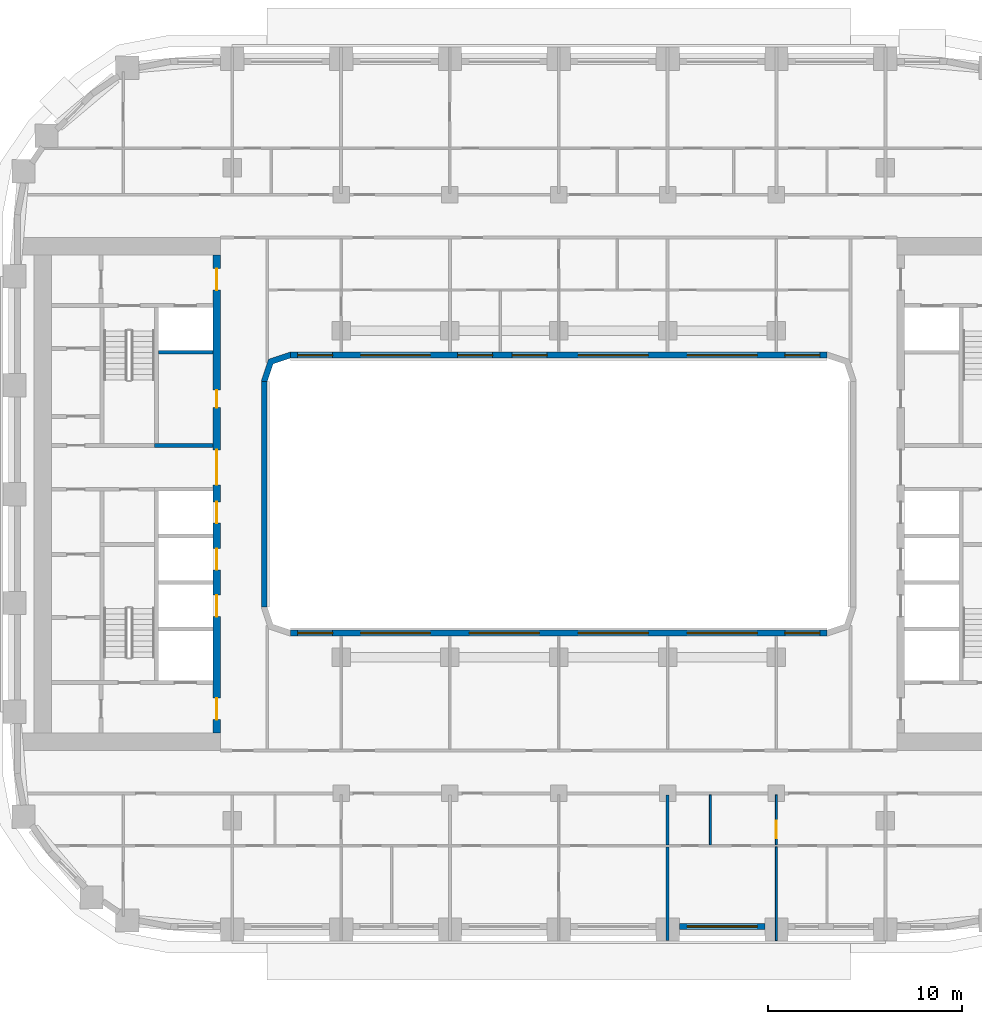
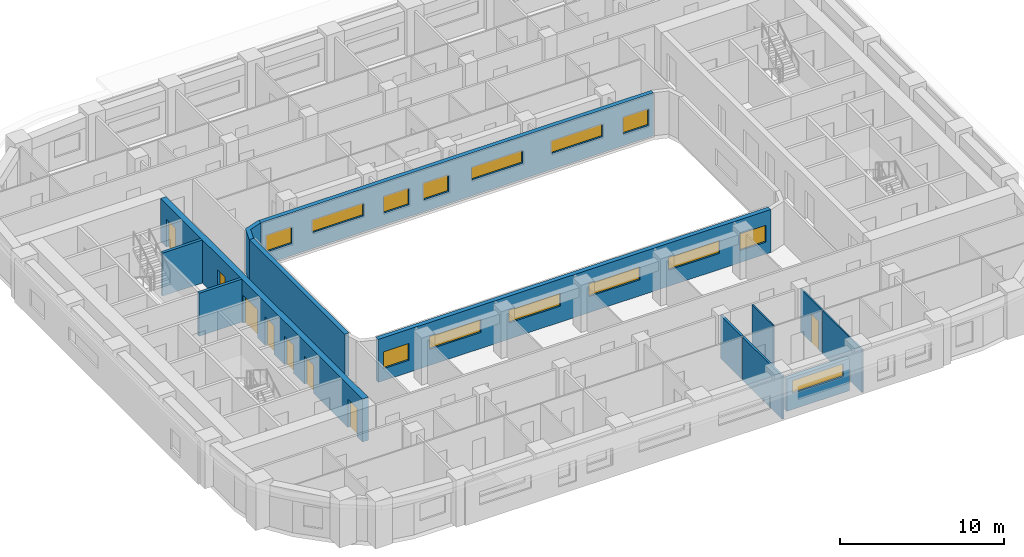
# One storey, part 5 of 21: 14 windows, 13 walls, 8 doors, 22 openings.
"""IFC4 building model written with IfcOpenShell, lengths in metres."""

from ifc_helpers import new_model, si_unit, direction, frame, frame_2d, origin, place, context, subcontext, project, spatial, polyline, rectangle, outline, extrude, material, layer, layer_set, type_object, element, fill, save


model = new_model("IFC4")

# Units and contexts
model_context = context("Model", 3, precision=1e-05, world=origin(), true_north=direction((0.0, 1.0)))
body_context = subcontext(model_context, "Body", "Model", "MODEL_VIEW")
ifc_project = project(units=[si_unit("LENGTHUNIT", "METRE"), si_unit("AREAUNIT", "SQUARE_METRE"), si_unit("VOLUMEUNIT", "CUBIC_METRE"), si_unit("PLANEANGLEUNIT", "RADIAN"), si_unit("MASSUNIT", "GRAM", prefix="KILO")], contexts=[model_context])

# Site, building, storey
site_placement = place(None, origin())
site = spatial("IfcSite", under=ifc_project, at=site_placement, CompositionType="ELEMENT")
building_placement = place(site_placement, origin())
building = spatial("IfcBuilding", under=site, at=building_placement, Name="Kiln Ring Residences", CompositionType="ELEMENT")
storey_placement = place(building_placement, frame((0.0, 0.0, 114.800048828125)))
storey = spatial("IfcBuildingStorey", under=building, at=storey_placement, Name="L29", CompositionType="ELEMENT", Elevation=114.800048828125)

# Walls
ifc_material_1 = material(Name="Gypsum shaft wall system")
ifc_layer_1 = layer(ifc_material_1, 0.199951171875)
ifc_layer_set_1 = layer_set([ifc_layer_1], Name="CORE-SHAFT-WALL-200")
wall_type_1 = type_object("IfcWallType", Name="CORE-SHAFT-WALL-200", PredefinedType="PARTITIONING", material=ifc_layer_set_1)
wall_1_placement = place(storey_placement, frame((-17.800048828125, 2.5, 0.0), z_axis=(0.0, 0.0, 1.0), x_axis=(-1.0, 0.0, 0.0)))
element("IfcWall", 1, at=wall_1_placement, inside=storey, type_object=wall_type_1, Name="Core partition west L29 13", PredefinedType="PARTITIONING", context=body_context, shape_type="SweptSolid", body=[
    extrude(rectangle(XDim=3.0, YDim=0.199951171875, at=frame_2d((1.5, 0.0))), origin(), (0.0, 0.0, 1.0), 3.199951171875),
])
wall_2_placement = place(storey_placement, frame((-17.800048828125, 7.300048828125, 0.0), z_axis=(0.0, 0.0, 1.0), x_axis=(-1.0, 0.0, 0.0)))
element("IfcWall", 2, at=wall_2_placement, inside=storey, type_object=wall_type_1, Name="Core partition west L29 14", PredefinedType="PARTITIONING", context=body_context, shape_type="SweptSolid", body=[
    extrude(rectangle(XDim=2.800048828125, YDim=0.199951171875, at=frame_2d((1.39990234375, 0.0))), origin(), (0.0, 0.0, 1.0), 3.199951171875),
])

# Wall, openings, doors
ifc_material_2 = material(Name="Concrete C60/75", Category="concrete")
ifc_layer_2 = layer(ifc_material_2, 0.39990234375)
ifc_layer_set_2 = layer_set([ifc_layer_2], Name="CORE-WALL-RC400")
wall_type_2 = type_object("IfcWallType", Name="CORE-WALL-RC400", PredefinedType="SHEAR", material=ifc_layer_set_2)
wall_3_placement = place(storey_placement, frame((-17.60009765625, -12.300048828125, 0.0), z_axis=(0.0, 0.0, 1.0), x_axis=(0.0, 1.0, 0.0)))
wall_3 = element("IfcWall", 3, at=wall_3_placement, inside=storey, type_object=wall_type_2, Name="Core wall west L29 6", PredefinedType="SHEAR", context=body_context, shape_type="SweptSolid", body=[
    extrude(rectangle(XDim=24.60009765625, YDim=0.39990234375, at=frame_2d((12.300048828125, 0.0))), origin(), (0.0, 0.0, 1.0), 3.199951171875),
])
opening_1_placement = place(wall_3_placement, frame((6.0, 0.0, 0.0)))
opening_1 = element("IfcOpeningElement", 4, at=opening_1_placement, cuts=wall_3, Name="Opening L29-CW02", PredefinedType="OPENING", context=body_context, shape_type="SweptSolid", body=[
    extrude(rectangle(XDim=1.10009765625, YDim=2.10009765625, at=frame_2d((0.550048828125, 1.050048828125))), frame((0.0, 0.2099609375, 0.0), z_axis=(0.0, -1.0, 0.0), x_axis=(1.0, 0.0, 0.0)), (0.0, 0.0, 1.0), 0.419921875),
])
opening_2_placement = place(wall_3_placement, frame((8.39990234375, 0.0, 0.0)))
opening_2 = element("IfcOpeningElement", 5, at=opening_2_placement, cuts=wall_3, Name="Opening L29-CW03", PredefinedType="OPENING", context=body_context, shape_type="SweptSolid", body=[
    extrude(rectangle(XDim=1.10009765625, YDim=2.10009765625, at=frame_2d((0.550048828125, 1.050048828125))), frame((0.0, 0.2099609375, 0.0), z_axis=(0.0, -1.0, 0.0), x_axis=(1.0, 0.0, 0.0)), (0.0, 0.0, 1.0), 0.419921875),
])
opening_3_placement = place(wall_3_placement, frame((10.800048828125, 0.0, 0.0)))
opening_3 = element("IfcOpeningElement", 6, at=opening_3_placement, cuts=wall_3, Name="Opening L29-CW04", PredefinedType="OPENING", context=body_context, shape_type="SweptSolid", body=[
    extrude(rectangle(XDim=1.10009765625, YDim=2.10009765625, at=frame_2d((0.550048828125, 1.050048828125))), frame((0.0, 0.2099609375, 0.0), z_axis=(0.0, -1.0, 0.0), x_axis=(1.0, 0.0, 0.0)), (0.0, 0.0, 1.0), 0.419921875),
])
opening_4_placement = place(wall_3_placement, frame((16.75, 0.0, 0.0)))
opening_4 = element("IfcOpeningElement", 7, at=opening_4_placement, cuts=wall_3, Name="Opening L29-CW05", PredefinedType="OPENING", context=body_context, shape_type="SweptSolid", body=[
    extrude(rectangle(XDim=0.89990234375, YDim=2.10009765625, at=frame_2d((0.449951171875, 1.050048828125))), frame((0.0, 0.2099609375, 0.0), z_axis=(0.0, -1.0, 0.0), x_axis=(1.0, 0.0, 0.0)), (0.0, 0.0, 1.0), 0.419921875),
])
opening_5_placement = place(wall_3_placement, frame((22.800048828125, 0.0, 0.0)))
opening_5 = element("IfcOpeningElement", 8, at=opening_5_placement, cuts=wall_3, Name="Opening L29-CW07", PredefinedType="OPENING", context=body_context, shape_type="SweptSolid", body=[
    extrude(rectangle(XDim=1.10009765625, YDim=2.10009765625, at=frame_2d((0.550048828125, 1.050048828125))), frame((0.0, 0.2099609375, 0.0), z_axis=(0.0, -1.0, 0.0), x_axis=(1.0, 0.0, 0.0)), (0.0, 0.0, 1.0), 0.419921875),
])
opening_6_placement = place(wall_3_placement, frame((0.699951171875, 0.0, 0.0)))
opening_6 = element("IfcOpeningElement", 9, at=opening_6_placement, cuts=wall_3, Name="Opening L29-CW08", PredefinedType="OPENING", context=body_context, shape_type="SweptSolid", body=[
    extrude(rectangle(XDim=1.10009765625, YDim=2.10009765625, at=frame_2d((0.550048828125, 1.050048828125))), frame((0.0, 0.2099609375, 0.0), z_axis=(0.0, -1.0, 0.0), x_axis=(1.0, 0.0, 0.0)), (0.0, 0.0, 1.0), 0.419921875),
])
opening_7_placement = place(wall_3_placement, frame((12.77490234375, 0.0, 0.0)))
opening_7 = element("IfcOpeningElement", 10, at=opening_7_placement, cuts=wall_3, Name="Opening L29-CW13", PredefinedType="OPENING", context=body_context, shape_type="SweptSolid", body=[
    extrude(rectangle(XDim=1.800048828125, YDim=2.10009765625, at=frame_2d((0.89990234375, 1.050048828125))), frame((0.0, 0.2099609375, 0.0), z_axis=(0.0, -1.0, 0.0), x_axis=(1.0, 0.0, 0.0)), (0.0, 0.0, 1.0), 0.419921875),
])
ifc_material_3 = material(Name="Steel door leaf", Category="steel")
door_type_1 = type_object("IfcDoorType", Name="CORE-DOOR-LD", OperationType="DOUBLE_DOOR_SLIDING", PredefinedType="DOOR", material=ifc_material_3)
door_1_placement = place(opening_1_placement, origin())
door_1 = element("IfcDoor", 11, at=door_1_placement, inside=storey, type_object=door_type_1, Name="LD W-L1 L29-CW02", OperationType="DOUBLE_DOOR_SLIDING", OverallHeight=2.10009765625, OverallWidth=1.10009765625, PredefinedType="DOOR", context=body_context, shape_type="SweptSolid", body=[
    extrude(rectangle(XDim=1.10009765625, YDim=2.10009765625, at=frame_2d((0.550048828125, 1.050048828125))), frame((0.0, 0.02490234375, 0.0), z_axis=(0.0, -1.0, 0.0), x_axis=(1.0, 0.0, 0.0)), (0.0, 0.0, 1.0), 0.050048828125),
])
fill(opening_1, door_1)
door_2_placement = place(opening_2_placement, origin())
door_2 = element("IfcDoor", 12, at=door_2_placement, inside=storey, type_object=door_type_1, Name="LD W-L2 L29-CW03", OperationType="DOUBLE_DOOR_SLIDING", OverallHeight=2.10009765625, OverallWidth=1.10009765625, PredefinedType="DOOR", context=body_context, shape_type="SweptSolid", body=[
    extrude(rectangle(XDim=1.10009765625, YDim=2.10009765625, at=frame_2d((0.550048828125, 1.050048828125))), frame((0.0, 0.02490234375, 0.0), z_axis=(0.0, -1.0, 0.0), x_axis=(1.0, 0.0, 0.0)), (0.0, 0.0, 1.0), 0.050048828125),
])
fill(opening_2, door_2)
door_3_placement = place(opening_3_placement, origin())
door_3 = element("IfcDoor", 13, at=door_3_placement, inside=storey, type_object=door_type_1, Name="LD W-L3 L29-CW04", OperationType="DOUBLE_DOOR_SLIDING", OverallHeight=2.10009765625, OverallWidth=1.10009765625, PredefinedType="DOOR", context=body_context, shape_type="SweptSolid", body=[
    extrude(rectangle(XDim=1.10009765625, YDim=2.10009765625, at=frame_2d((0.550048828125, 1.050048828125))), frame((0.0, 0.02490234375, 0.0), z_axis=(0.0, -1.0, 0.0), x_axis=(1.0, 0.0, 0.0)), (0.0, 0.0, 1.0), 0.050048828125),
])
fill(opening_3, door_3)
ifc_material_4 = material(Name="Steel door leaf", Category="steel")
door_type_2 = type_object("IfcDoorType", Name="CORE-DOOR-LOBBY", OperationType="SINGLE_SWING_LEFT", PredefinedType="DOOR", material=ifc_material_4)
door_4_placement = place(opening_5_placement, origin())
door_4 = element("IfcDoor", 14, at=door_4_placement, inside=storey, type_object=door_type_2, Name="FFL L29-CW07", OperationType="SINGLE_SWING_RIGHT", OverallHeight=2.10009765625, OverallWidth=1.10009765625, PredefinedType="DOOR", context=body_context, shape_type="SweptSolid", body=[
    extrude(rectangle(XDim=1.10009765625, YDim=2.10009765625, at=frame_2d((0.550048828125, 1.050048828125))), frame((0.0, 0.02490234375, 0.0), z_axis=(0.0, -1.0, 0.0), x_axis=(1.0, 0.0, 0.0)), (0.0, 0.0, 1.0), 0.050048828125),
])
fill(opening_5, door_4)
door_5_placement = place(opening_6_placement, origin())
door_5 = element("IfcDoor", 15, at=door_5_placement, inside=storey, type_object=door_type_2, Name="SVL L29-CW08", OperationType="SINGLE_SWING_LEFT", OverallHeight=2.10009765625, OverallWidth=1.10009765625, PredefinedType="DOOR", context=body_context, shape_type="SweptSolid", body=[
    extrude(rectangle(XDim=1.10009765625, YDim=2.10009765625, at=frame_2d((0.550048828125, 1.050048828125))), frame((0.0, 0.02490234375, 0.0), z_axis=(0.0, -1.0, 0.0), x_axis=(1.0, 0.0, 0.0)), (0.0, 0.0, 1.0), 0.050048828125),
])
fill(opening_6, door_5)
ifc_material_5 = material(Name="Steel door leaf", Category="steel")
door_type_3 = type_object("IfcDoorType", Name="CORE-DOOR-PASS", OperationType="DOUBLE_DOOR_SINGLE_SWING", PredefinedType="DOOR", material=ifc_material_5)
door_6_placement = place(opening_7_placement, origin())
door_6 = element("IfcDoor", 16, at=door_6_placement, inside=storey, type_object=door_type_3, Name="Core passage L29-CW13", OperationType="DOUBLE_DOOR_SINGLE_SWING", OverallHeight=2.10009765625, OverallWidth=1.800048828125, PredefinedType="DOOR", context=body_context, shape_type="SweptSolid", body=[
    extrude(rectangle(XDim=1.800048828125, YDim=2.10009765625, at=frame_2d((0.89990234375, 1.050048828125))), frame((0.0, 0.02490234375, 0.0), z_axis=(0.0, -1.0, 0.0), x_axis=(1.0, 0.0, 0.0)), (0.0, 0.0, 1.0), 0.050048828125),
])
fill(opening_7, door_6)
ifc_material_6 = material(Name="Steel door leaf", Category="steel")
door_type_4 = type_object("IfcDoorType", Name="CORE-DOOR-ROOM", OperationType="SINGLE_SWING_LEFT", PredefinedType="DOOR", material=ifc_material_6)
door_7_placement = place(opening_4_placement, origin())
door_7 = element("IfcDoor", 17, at=door_7_placement, inside=storey, type_object=door_type_4, Name="Housekeeping store L29-CW05", OperationType="SINGLE_SWING_LEFT", OverallHeight=2.10009765625, OverallWidth=0.89990234375, PredefinedType="DOOR", context=body_context, shape_type="SweptSolid", body=[
    extrude(rectangle(XDim=0.89990234375, YDim=2.10009765625, at=frame_2d((0.449951171875, 1.050048828125))), frame((0.0, 0.02490234375, 0.0), z_axis=(0.0, -1.0, 0.0), x_axis=(1.0, 0.0, 0.0)), (0.0, 0.0, 1.0), 0.050048828125),
])
fill(opening_4, door_7)

# Wall, opening, window
ifc_material_7 = material(Name="Brick masonry, dark clay brick", Category="masonry")
ifc_layer_3 = layer(ifc_material_7, 0.300048828125)
ifc_layer_set_3 = layer_set([ifc_layer_3], Name="EW-300 BRICK WALL")
wall_type_3 = type_object("IfcWallType", Name="EW-300 BRICK WALL", PredefinedType="SOLIDWALL", material=ifc_layer_set_3)
wall_4_placement = place(storey_placement, frame((6.199951171875, -22.25, 0.0), z_axis=(0.0, 0.0, 1.0), x_axis=(1.0, 0.0, 0.0)))
wall_4 = element("IfcWall", 18, at=wall_4_placement, inside=storey, type_object=wall_type_3, Name="Facade wall L29 9", PredefinedType="SOLIDWALL", context=body_context, shape_type="SweptSolid", body=[
    extrude(rectangle(XDim=4.400146484375, YDim=0.300048828125, at=frame_2d((2.2001953125, 0.0))), origin(), (0.0, 0.0, 1.0), 2.39990234375),
])
opening_8_placement = place(wall_4_placement, frame((0.39990234375, 0.0, 1.199951171875)))
opening_8 = element("IfcOpeningElement", 19, at=opening_8_placement, cuts=wall_4, Name="Opening W4", PredefinedType="OPENING", context=body_context, shape_type="SweptSolid", body=[
    extrude(rectangle(XDim=3.60009765625, YDim=0.949951171875, at=frame_2d((1.800048828125, 0.47509765625))), frame((0.0, 0.159912109375, 0.0), z_axis=(0.0, -1.0, 0.0), x_axis=(1.0, 0.0, 0.0)), (0.0, 0.0, 1.0), 0.320068359375),
])
ifc_material_8 = material(Name="Aluminium frame with double glazing", Category="aluminium")
window_type_1 = type_object("IfcWindowType", Name="WINDOW 3600 x 950", PartitioningType="SINGLE_PANEL", PredefinedType="WINDOW", material=ifc_material_8)
window_1_placement = place(opening_8_placement, origin())
window_1 = element("IfcWindow", 20, at=window_1_placement, inside=storey, type_object=window_type_1, Name="Window L29 8", OverallHeight=0.949951171875, OverallWidth=3.60009765625, PartitioningType="SINGLE_PANEL", PredefinedType="WINDOW", context=body_context, shape_type="SweptSolid", body=[
    extrude(rectangle(XDim=3.60009765625, YDim=0.949951171875, at=frame_2d((1.800048828125, 0.47509765625))), frame((0.0, 0.030029296875, 0.0), z_axis=(0.0, -1.0, 0.0), x_axis=(1.0, 0.0, 0.0)), (0.0, 0.0, 1.0), 0.06005859375),
])
fill(opening_8, window_1)

# Wall
wall_5_placement = place(storey_placement, frame((-15.14990234375, -5.800048828125, 0.0), z_axis=(0.0, 0.0, 1.0), x_axis=(0.0, 1.0, 0.0)))
element("IfcWall", 21, at=wall_5_placement, inside=storey, type_object=wall_type_3, Name="Facade wall L29 49", PredefinedType="SOLIDWALL", context=body_context, shape_type="SweptSolid", body=[
    extrude(rectangle(XDim=11.60009765625, YDim=0.300048828125, at=frame_2d((5.800048828125, 0.0))), origin(), (0.0, 0.0, 1.0), 3.199951171875),
])

# Wall, openings, windows
wall_6_placement = place(storey_placement, frame((-13.800048828125, 7.14990234375, 0.0), z_axis=(0.0, 0.0, 1.0), x_axis=(1.0, 0.0, 0.0)))
wall_6 = element("IfcWall", 22, at=wall_6_placement, inside=storey, type_object=wall_type_3, Name="Facade wall L29 50", PredefinedType="SOLIDWALL", context=body_context, shape_type="SweptSolid", body=[
    extrude(rectangle(XDim=27.60009765625, YDim=0.300048828125, at=frame_2d((13.800048828125, 0.0))), origin(), (0.0, 0.0, 1.0), 3.199951171875),
])
opening_9_placement = place(wall_6_placement, frame((0.362548828125, 0.0, 0.89990234375)))
opening_9 = element("IfcOpeningElement", 23, at=opening_9_placement, cuts=wall_6, Name="Opening W2", PredefinedType="OPENING", context=body_context, shape_type="SweptSolid", body=[
    extrude(rectangle(XDim=1.800048828125, YDim=1.25, at=frame_2d((0.89990234375, 0.625))), frame((0.0, 0.159912109375, 0.0), z_axis=(0.0, -1.0, 0.0), x_axis=(1.0, 0.0, 0.0)), (0.0, 0.0, 1.0), 0.320068359375),
])
opening_10_placement = place(wall_6_placement, frame((3.60009765625, 0.0, 1.199951171875)))
opening_10 = element("IfcOpeningElement", 24, at=opening_10_placement, cuts=wall_6, Name="Opening W4", PredefinedType="OPENING", context=body_context, shape_type="SweptSolid", body=[
    extrude(rectangle(XDim=3.60009765625, YDim=0.949951171875, at=frame_2d((1.800048828125, 0.47509765625))), frame((0.0, 0.159912109375, 0.0), z_axis=(0.0, -1.0, 0.0), x_axis=(1.0, 0.0, 0.0)), (0.0, 0.0, 1.0), 0.320068359375),
])
opening_11_placement = place(wall_6_placement, frame((8.60009765625, 0.0, 0.89990234375)))
opening_11 = element("IfcOpeningElement", 25, at=opening_11_placement, cuts=wall_6, Name="Opening W2", PredefinedType="OPENING", context=body_context, shape_type="SweptSolid", body=[
    extrude(rectangle(XDim=1.800048828125, YDim=1.25, at=frame_2d((0.89990234375, 0.625))), frame((0.0, 0.159912109375, 0.0), z_axis=(0.0, -1.0, 0.0), x_axis=(1.0, 0.0, 0.0)), (0.0, 0.0, 1.0), 0.320068359375),
])
opening_12_placement = place(wall_6_placement, frame((11.39990234375, 0.0, 0.89990234375)))
opening_12 = element("IfcOpeningElement", 26, at=opening_12_placement, cuts=wall_6, Name="Opening W2", PredefinedType="OPENING", context=body_context, shape_type="SweptSolid", body=[
    extrude(rectangle(XDim=1.800048828125, YDim=1.25, at=frame_2d((0.89990234375, 0.625))), frame((0.0, 0.159912109375, 0.0), z_axis=(0.0, -1.0, 0.0), x_axis=(1.0, 0.0, 0.0)), (0.0, 0.0, 1.0), 0.320068359375),
])
opening_13_placement = place(wall_6_placement, frame((14.800048828125, 0.0, 1.199951171875)))
opening_13 = element("IfcOpeningElement", 27, at=opening_13_placement, cuts=wall_6, Name="Opening W4", PredefinedType="OPENING", context=body_context, shape_type="SweptSolid", body=[
    extrude(rectangle(XDim=3.60009765625, YDim=0.949951171875, at=frame_2d((1.800048828125, 0.47509765625))), frame((0.0, 0.159912109375, 0.0), z_axis=(0.0, -1.0, 0.0), x_axis=(1.0, 0.0, 0.0)), (0.0, 0.0, 1.0), 0.320068359375),
])
opening_14_placement = place(wall_6_placement, frame((20.39990234375, 0.0, 1.199951171875)))
opening_14 = element("IfcOpeningElement", 28, at=opening_14_placement, cuts=wall_6, Name="Opening W4", PredefinedType="OPENING", context=body_context, shape_type="SweptSolid", body=[
    extrude(rectangle(XDim=3.60009765625, YDim=0.949951171875, at=frame_2d((1.800048828125, 0.47509765625))), frame((0.0, 0.159912109375, 0.0), z_axis=(0.0, -1.0, 0.0), x_axis=(1.0, 0.0, 0.0)), (0.0, 0.0, 1.0), 0.320068359375),
])
opening_15_placement = place(wall_6_placement, frame((25.4375, 0.0, 0.89990234375)))
opening_15 = element("IfcOpeningElement", 29, at=opening_15_placement, cuts=wall_6, Name="Opening W2", PredefinedType="OPENING", context=body_context, shape_type="SweptSolid", body=[
    extrude(rectangle(XDim=1.800048828125, YDim=1.25, at=frame_2d((0.89990234375, 0.625))), frame((0.0, 0.159912109375, 0.0), z_axis=(0.0, -1.0, 0.0), x_axis=(1.0, 0.0, 0.0)), (0.0, 0.0, 1.0), 0.320068359375),
])
ifc_material_9 = material(Name="Aluminium frame with double glazing", Category="aluminium")
window_type_2 = type_object("IfcWindowType", Name="WINDOW 1800 x 1250", PartitioningType="SINGLE_PANEL", PredefinedType="WINDOW", material=ifc_material_9)
window_2_placement = place(opening_9_placement, origin())
window_2 = element("IfcWindow", 30, at=window_2_placement, inside=storey, type_object=window_type_2, Name="Window L29 23", OverallHeight=1.25, OverallWidth=1.800048828125, PartitioningType="SINGLE_PANEL", PredefinedType="WINDOW", context=body_context, shape_type="SweptSolid", body=[
    extrude(rectangle(XDim=1.800048828125, YDim=1.25, at=frame_2d((0.89990234375, 0.625))), frame((0.0, 0.030029296875, 0.0), z_axis=(0.0, -1.0, 0.0), x_axis=(1.0, 0.0, 0.0)), (0.0, 0.0, 1.0), 0.06005859375),
])
fill(opening_9, window_2)
window_3_placement = place(opening_11_placement, origin())
window_3 = element("IfcWindow", 31, at=window_3_placement, inside=storey, type_object=window_type_2, Name="Window L29 25", OverallHeight=1.25, OverallWidth=1.800048828125, PartitioningType="SINGLE_PANEL", PredefinedType="WINDOW", context=body_context, shape_type="SweptSolid", body=[
    extrude(rectangle(XDim=1.800048828125, YDim=1.25, at=frame_2d((0.89990234375, 0.625))), frame((0.0, 0.030029296875, 0.0), z_axis=(0.0, -1.0, 0.0), x_axis=(1.0, 0.0, 0.0)), (0.0, 0.0, 1.0), 0.06005859375),
])
fill(opening_11, window_3)
window_4_placement = place(opening_12_placement, origin())
window_4 = element("IfcWindow", 32, at=window_4_placement, inside=storey, type_object=window_type_2, Name="Window L29 26", OverallHeight=1.25, OverallWidth=1.800048828125, PartitioningType="SINGLE_PANEL", PredefinedType="WINDOW", context=body_context, shape_type="SweptSolid", body=[
    extrude(rectangle(XDim=1.800048828125, YDim=1.25, at=frame_2d((0.89990234375, 0.625))), frame((0.0, 0.030029296875, 0.0), z_axis=(0.0, -1.0, 0.0), x_axis=(1.0, 0.0, 0.0)), (0.0, 0.0, 1.0), 0.06005859375),
])
fill(opening_12, window_4)
window_5_placement = place(opening_15_placement, origin())
window_5 = element("IfcWindow", 33, at=window_5_placement, inside=storey, type_object=window_type_2, Name="Window L29 29", OverallHeight=1.25, OverallWidth=1.800048828125, PartitioningType="SINGLE_PANEL", PredefinedType="WINDOW", context=body_context, shape_type="SweptSolid", body=[
    extrude(rectangle(XDim=1.800048828125, YDim=1.25, at=frame_2d((0.89990234375, 0.625))), frame((0.0, 0.030029296875, 0.0), z_axis=(0.0, -1.0, 0.0), x_axis=(1.0, 0.0, 0.0)), (0.0, 0.0, 1.0), 0.06005859375),
])
fill(opening_15, window_5)
window_6_placement = place(opening_10_placement, origin())
window_6 = element("IfcWindow", 34, at=window_6_placement, inside=storey, type_object=window_type_1, Name="Window L29 24", OverallHeight=0.949951171875, OverallWidth=3.60009765625, PartitioningType="SINGLE_PANEL", PredefinedType="WINDOW", context=body_context, shape_type="SweptSolid", body=[
    extrude(rectangle(XDim=3.60009765625, YDim=0.949951171875, at=frame_2d((1.800048828125, 0.47509765625))), frame((0.0, 0.030029296875, 0.0), z_axis=(0.0, -1.0, 0.0), x_axis=(1.0, 0.0, 0.0)), (0.0, 0.0, 1.0), 0.06005859375),
])
fill(opening_10, window_6)
window_7_placement = place(opening_13_placement, origin())
window_7 = element("IfcWindow", 35, at=window_7_placement, inside=storey, type_object=window_type_1, Name="Window L29 27", OverallHeight=0.949951171875, OverallWidth=3.60009765625, PartitioningType="SINGLE_PANEL", PredefinedType="WINDOW", context=body_context, shape_type="SweptSolid", body=[
    extrude(rectangle(XDim=3.60009765625, YDim=0.949951171875, at=frame_2d((1.800048828125, 0.47509765625))), frame((0.0, 0.030029296875, 0.0), z_axis=(0.0, -1.0, 0.0), x_axis=(1.0, 0.0, 0.0)), (0.0, 0.0, 1.0), 0.06005859375),
])
fill(opening_13, window_7)
window_8_placement = place(opening_14_placement, origin())
window_8 = element("IfcWindow", 36, at=window_8_placement, inside=storey, type_object=window_type_1, Name="Window L29 28", OverallHeight=0.949951171875, OverallWidth=3.60009765625, PartitioningType="SINGLE_PANEL", PredefinedType="WINDOW", context=body_context, shape_type="SweptSolid", body=[
    extrude(rectangle(XDim=3.60009765625, YDim=0.949951171875, at=frame_2d((1.800048828125, 0.47509765625))), frame((0.0, 0.030029296875, 0.0), z_axis=(0.0, -1.0, 0.0), x_axis=(1.0, 0.0, 0.0)), (0.0, 0.0, 1.0), 0.06005859375),
])
fill(opening_14, window_8)

wall_7_placement = place(storey_placement, frame((13.800048828125, -7.14990234375, 0.0), z_axis=(0.0, 0.0, 1.0), x_axis=(-1.0, 0.0, 0.0)))
wall_7 = element("IfcWall", 37, at=wall_7_placement, inside=storey, type_object=wall_type_3, Name="Facade wall L29 52", PredefinedType="SOLIDWALL", context=body_context, shape_type="SweptSolid", body=[
    extrude(rectangle(XDim=27.60009765625, YDim=0.300048828125, at=frame_2d((13.800048828125, 0.0))), origin(), (0.0, 0.0, 1.0), 3.199951171875),
])
opening_16_placement = place(wall_7_placement, frame((0.362548828125, 0.0, 0.89990234375)))
opening_16 = element("IfcOpeningElement", 38, at=opening_16_placement, cuts=wall_7, Name="Opening W2", PredefinedType="OPENING", context=body_context, shape_type="SweptSolid", body=[
    extrude(rectangle(XDim=1.800048828125, YDim=1.25, at=frame_2d((0.89990234375, 0.625))), frame((0.0, 0.159912109375, 0.0), z_axis=(0.0, -1.0, 0.0), x_axis=(1.0, 0.0, 0.0)), (0.0, 0.0, 1.0), 0.320068359375),
])
opening_17_placement = place(wall_7_placement, frame((3.60009765625, 0.0, 1.199951171875)))
opening_17 = element("IfcOpeningElement", 39, at=opening_17_placement, cuts=wall_7, Name="Opening W4", PredefinedType="OPENING", context=body_context, shape_type="SweptSolid", body=[
    extrude(rectangle(XDim=3.60009765625, YDim=0.949951171875, at=frame_2d((1.800048828125, 0.47509765625))), frame((0.0, 0.159912109375, 0.0), z_axis=(0.0, -1.0, 0.0), x_axis=(1.0, 0.0, 0.0)), (0.0, 0.0, 1.0), 0.320068359375),
])
opening_18_placement = place(wall_7_placement, frame((9.199951171875, 0.0, 1.199951171875)))
opening_18 = element("IfcOpeningElement", 40, at=opening_18_placement, cuts=wall_7, Name="Opening W4", PredefinedType="OPENING", context=body_context, shape_type="SweptSolid", body=[
    extrude(rectangle(XDim=3.60009765625, YDim=0.949951171875, at=frame_2d((1.800048828125, 0.47509765625))), frame((0.0, 0.159912109375, 0.0), z_axis=(0.0, -1.0, 0.0), x_axis=(1.0, 0.0, 0.0)), (0.0, 0.0, 1.0), 0.320068359375),
])
opening_19_placement = place(wall_7_placement, frame((14.800048828125, 0.0, 1.199951171875)))
opening_19 = element("IfcOpeningElement", 41, at=opening_19_placement, cuts=wall_7, Name="Opening W4", PredefinedType="OPENING", context=body_context, shape_type="SweptSolid", body=[
    extrude(rectangle(XDim=3.60009765625, YDim=0.949951171875, at=frame_2d((1.800048828125, 0.47509765625))), frame((0.0, 0.159912109375, 0.0), z_axis=(0.0, -1.0, 0.0), x_axis=(1.0, 0.0, 0.0)), (0.0, 0.0, 1.0), 0.320068359375),
])
opening_20_placement = place(wall_7_placement, frame((20.39990234375, 0.0, 1.199951171875)))
opening_20 = element("IfcOpeningElement", 42, at=opening_20_placement, cuts=wall_7, Name="Opening W4", PredefinedType="OPENING", context=body_context, shape_type="SweptSolid", body=[
    extrude(rectangle(XDim=3.60009765625, YDim=0.949951171875, at=frame_2d((1.800048828125, 0.47509765625))), frame((0.0, 0.159912109375, 0.0), z_axis=(0.0, -1.0, 0.0), x_axis=(1.0, 0.0, 0.0)), (0.0, 0.0, 1.0), 0.320068359375),
])
opening_21_placement = place(wall_7_placement, frame((25.4375, 0.0, 0.89990234375)))
opening_21 = element("IfcOpeningElement", 43, at=opening_21_placement, cuts=wall_7, Name="Opening W2", PredefinedType="OPENING", context=body_context, shape_type="SweptSolid", body=[
    extrude(rectangle(XDim=1.800048828125, YDim=1.25, at=frame_2d((0.89990234375, 0.625))), frame((0.0, 0.159912109375, 0.0), z_axis=(0.0, -1.0, 0.0), x_axis=(1.0, 0.0, 0.0)), (0.0, 0.0, 1.0), 0.320068359375),
])
window_9_placement = place(opening_16_placement, origin())
window_9 = element("IfcWindow", 44, at=window_9_placement, inside=storey, type_object=window_type_2, Name="Window L29 30", OverallHeight=1.25, OverallWidth=1.800048828125, PartitioningType="SINGLE_PANEL", PredefinedType="WINDOW", context=body_context, shape_type="SweptSolid", body=[
    extrude(rectangle(XDim=1.800048828125, YDim=1.25, at=frame_2d((0.89990234375, 0.625))), frame((0.0, 0.030029296875, 0.0), z_axis=(0.0, -1.0, 0.0), x_axis=(1.0, 0.0, 0.0)), (0.0, 0.0, 1.0), 0.06005859375),
])
fill(opening_16, window_9)
window_10_placement = place(opening_21_placement, origin())
window_10 = element("IfcWindow", 45, at=window_10_placement, inside=storey, type_object=window_type_2, Name="Window L29 35", OverallHeight=1.25, OverallWidth=1.800048828125, PartitioningType="SINGLE_PANEL", PredefinedType="WINDOW", context=body_context, shape_type="SweptSolid", body=[
    extrude(rectangle(XDim=1.800048828125, YDim=1.25, at=frame_2d((0.89990234375, 0.625))), frame((0.0, 0.030029296875, 0.0), z_axis=(0.0, -1.0, 0.0), x_axis=(1.0, 0.0, 0.0)), (0.0, 0.0, 1.0), 0.06005859375),
])
fill(opening_21, window_10)
window_11_placement = place(opening_17_placement, origin())
window_11 = element("IfcWindow", 46, at=window_11_placement, inside=storey, type_object=window_type_1, Name="Window L29 31", OverallHeight=0.949951171875, OverallWidth=3.60009765625, PartitioningType="SINGLE_PANEL", PredefinedType="WINDOW", context=body_context, shape_type="SweptSolid", body=[
    extrude(rectangle(XDim=3.60009765625, YDim=0.949951171875, at=frame_2d((1.800048828125, 0.47509765625))), frame((0.0, 0.030029296875, 0.0), z_axis=(0.0, -1.0, 0.0), x_axis=(1.0, 0.0, 0.0)), (0.0, 0.0, 1.0), 0.06005859375),
])
fill(opening_17, window_11)
window_12_placement = place(opening_18_placement, origin())
window_12 = element("IfcWindow", 47, at=window_12_placement, inside=storey, type_object=window_type_1, Name="Window L29 32", OverallHeight=0.949951171875, OverallWidth=3.60009765625, PartitioningType="SINGLE_PANEL", PredefinedType="WINDOW", context=body_context, shape_type="SweptSolid", body=[
    extrude(rectangle(XDim=3.60009765625, YDim=0.949951171875, at=frame_2d((1.800048828125, 0.47509765625))), frame((0.0, 0.030029296875, 0.0), z_axis=(0.0, -1.0, 0.0), x_axis=(1.0, 0.0, 0.0)), (0.0, 0.0, 1.0), 0.06005859375),
])
fill(opening_18, window_12)
window_13_placement = place(opening_19_placement, origin())
window_13 = element("IfcWindow", 48, at=window_13_placement, inside=storey, type_object=window_type_1, Name="Window L29 33", OverallHeight=0.949951171875, OverallWidth=3.60009765625, PartitioningType="SINGLE_PANEL", PredefinedType="WINDOW", context=body_context, shape_type="SweptSolid", body=[
    extrude(rectangle(XDim=3.60009765625, YDim=0.949951171875, at=frame_2d((1.800048828125, 0.47509765625))), frame((0.0, 0.030029296875, 0.0), z_axis=(0.0, -1.0, 0.0), x_axis=(1.0, 0.0, 0.0)), (0.0, 0.0, 1.0), 0.06005859375),
])
fill(opening_19, window_13)
window_14_placement = place(opening_20_placement, origin())
window_14 = element("IfcWindow", 49, at=window_14_placement, inside=storey, type_object=window_type_1, Name="Window L29 34", OverallHeight=0.949951171875, OverallWidth=3.60009765625, PartitioningType="SINGLE_PANEL", PredefinedType="WINDOW", context=body_context, shape_type="SweptSolid", body=[
    extrude(rectangle(XDim=3.60009765625, YDim=0.949951171875, at=frame_2d((1.800048828125, 0.47509765625))), frame((0.0, 0.030029296875, 0.0), z_axis=(0.0, -1.0, 0.0), x_axis=(1.0, 0.0, 0.0)), (0.0, 0.0, 1.0), 0.06005859375),
])
fill(opening_20, window_14)

# Walls
wall_8_placement = place(storey_placement, origin())
element("IfcWall", 50, at=wall_8_placement, inside=storey, type_object=wall_type_3, Name="Corner wall L29 1", PredefinedType="SOLIDWALL", context=body_context, shape_type="SweptSolid", body=[
    extrude(outline(polyline([(-13.8486328125, 7.300048828125), (-14.937255859375, 6.937255859375), (-15.300048828125, 5.8486328125), (-15.300048828125, 5.800048828125), (-15.0, 5.800048828125), (-14.699951171875, 6.699951171875), (-13.800048828125, 7.0), (-13.800048828125, 7.300048828125), (-13.8486328125, 7.300048828125)])), origin(), (0.0, 0.0, 1.0), 3.199951171875),
])
ifc_material_10 = material(Name="Gypsum board on steel studs", Category="steel")
ifc_layer_4 = layer(ifc_material_10, 0.10009765625)
ifc_layer_set_4 = layer_set([ifc_layer_4], Name="PARTITION-100")
wall_type_4 = type_object("IfcWallType", Name="PARTITION-100", PredefinedType="PARTITIONING", material=ifc_layer_set_4)
wall_9_placement = place(storey_placement, frame((7.800048828125, -18.050048828125, 0.0), z_axis=(0.0, 0.0, 1.0), x_axis=(0.0, 1.0, 0.0)))
element("IfcWall", 51, at=wall_9_placement, inside=storey, type_object=wall_type_4, Name="Partition 051", PredefinedType="PARTITIONING", context=body_context, shape_type="SweptSolid", body=[
    extrude(rectangle(XDim=2.574951171875, YDim=0.10009765625, at=frame_2d((1.28759765625, 0.0))), origin(), (0.0, 0.0, 1.0), 3.199951171875),
])
wall_10_placement = place(storey_placement, frame((11.199951171875, -22.97998046875, 0.0), z_axis=(0.0, 0.0, 1.0), x_axis=(0.0, 1.0, 0.0)))
element("IfcWall", 52, at=wall_10_placement, inside=storey, type_object=wall_type_4, Name="Partition 053", PredefinedType="PARTITIONING", context=body_context, shape_type="SweptSolid", body=[
    extrude(rectangle(XDim=4.830078125, YDim=0.10009765625, at=frame_2d((2.4150390625, 0.0))), origin(), (0.0, 0.0, 1.0), 3.199951171875),
])

# Wall, opening, door
wall_11_placement = place(storey_placement, frame((11.199951171875, -18.050048828125, 0.0), z_axis=(0.0, 0.0, 1.0), x_axis=(0.0, 1.0, 0.0)))
wall_11 = element("IfcWall", 53, at=wall_11_placement, inside=storey, type_object=wall_type_4, Name="Partition 054", PredefinedType="PARTITIONING", context=body_context, shape_type="SweptSolid", body=[
    extrude(rectangle(XDim=2.574951171875, YDim=0.10009765625, at=frame_2d((1.28759765625, 0.0))), origin(), (0.0, 0.0, 1.0), 3.199951171875),
])
opening_22_placement = place(wall_11_placement, frame((0.34912109375, 0.0, 0.0)))
opening_22 = element("IfcOpeningElement", 54, at=opening_22_placement, cuts=wall_11, Name="Opening L29-D064", PredefinedType="OPENING", context=body_context, shape_type="SweptSolid", body=[
    extrude(rectangle(XDim=0.89990234375, YDim=2.10009765625, at=frame_2d((0.449951171875, 1.050048828125))), frame((0.0, 0.06005859375, 0.0), z_axis=(0.0, -1.0, 0.0), x_axis=(1.0, 0.0, 0.0)), (0.0, 0.0, 1.0), 0.1201171875),
])
ifc_material_11 = material(Name="Timber door leaf", Category="wood")
door_type_5 = type_object("IfcDoorType", Name="FLAT-DOOR-900-PL", OperationType="SINGLE_SWING_LEFT", PredefinedType="DOOR", material=ifc_material_11)
door_8_placement = place(opening_22_placement, origin())
door_8 = element("IfcDoor", 55, at=door_8_placement, inside=storey, type_object=door_type_5, Name="Door L29-D064", OperationType="SINGLE_SWING_RIGHT", OverallHeight=2.10009765625, OverallWidth=0.89990234375, PredefinedType="DOOR", context=body_context, shape_type="SweptSolid", body=[
    extrude(rectangle(XDim=0.89990234375, YDim=2.10009765625, at=frame_2d((0.449951171875, 1.050048828125))), frame((0.0, 0.02490234375, 0.0), z_axis=(0.0, -1.0, 0.0), x_axis=(1.0, 0.0, 0.0)), (0.0, 0.0, 1.0), 0.050048828125),
])
fill(opening_22, door_8)

# Walls
ifc_material_12 = material(Name="Brick masonry partition", Category="masonry")
ifc_layer_5 = layer(ifc_material_12, 0.14990234375)
ifc_layer_set_5 = layer_set([ifc_layer_5], Name="PARTITION-150-ei60")
wall_type_5 = type_object("IfcWallType", Name="PARTITION-150-ei60", PredefinedType="PARTITIONING", material=ifc_layer_set_5)
wall_12_placement = place(storey_placement, frame((5.60009765625, -22.97998046875, 0.0), z_axis=(0.0, 0.0, 1.0), x_axis=(0.0, 1.0, 0.0)))
element("IfcWall", 56, at=wall_12_placement, inside=storey, type_object=wall_type_5, Name="Partition 045", PredefinedType="PARTITIONING", context=body_context, shape_type="SweptSolid", body=[
    extrude(rectangle(XDim=4.830078125, YDim=0.14990234375, at=frame_2d((2.4150390625, 0.0))), origin(), (0.0, 0.0, 1.0), 3.199951171875),
])
wall_13_placement = place(storey_placement, frame((5.60009765625, -18.050048828125, 0.0), z_axis=(0.0, 0.0, 1.0), x_axis=(0.0, 1.0, 0.0)))
element("IfcWall", 57, at=wall_13_placement, inside=storey, type_object=wall_type_5, Name="Partition 046", PredefinedType="PARTITIONING", context=body_context, shape_type="SweptSolid", body=[
    extrude(rectangle(XDim=2.574951171875, YDim=0.14990234375, at=frame_2d((1.28759765625, 0.0))), origin(), (0.0, 0.0, 1.0), 3.199951171875),
])

save(model, "model.ifc")
